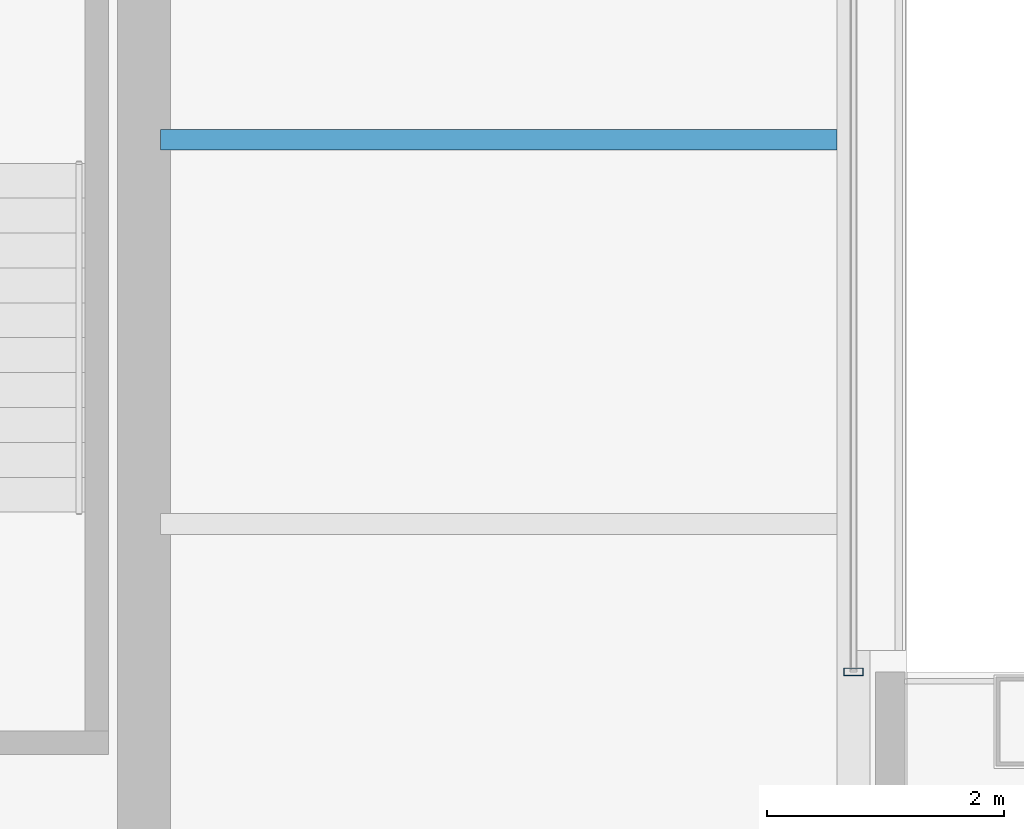
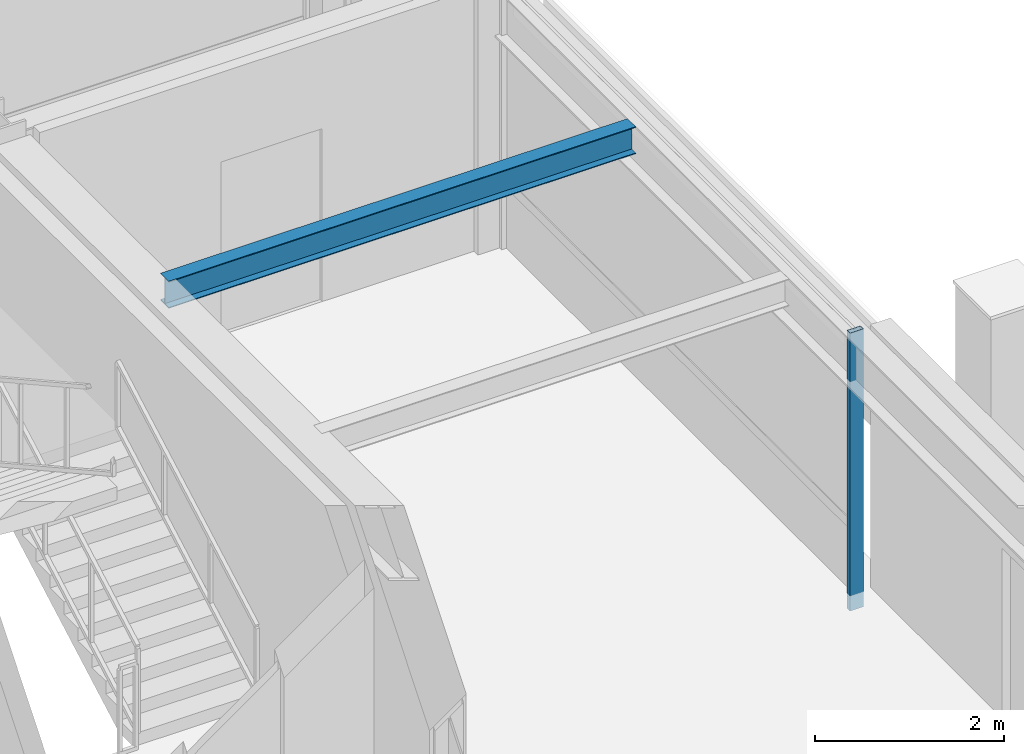
# One storey, part 16 of 28: 1 beam, 1 member, 1 element without a shape of its own.
"""IFC4 building model written with IfcOpenShell, lengths in metres."""

from ifc_helpers import new_model, si_unit, direction, frame, origin, origin_2d, place, context, subcontext, project, spatial, hollow_rectangle, i_section, extrude, material, layer, layer_set, material_profile, profile_set, type_object, element, aggregate, save


model = new_model("IFC4")

# Units and contexts
model_context = context("Model", 3, precision=1e-05, world=origin(), true_north=direction((0.0, 1.0)))
body_context = subcontext(model_context, "Body", "Model", "MODEL_VIEW")
ifc_project = project(units=[si_unit("LENGTHUNIT", "METRE"), si_unit("AREAUNIT", "SQUARE_METRE"), si_unit("VOLUMEUNIT", "CUBIC_METRE"), si_unit("PLANEANGLEUNIT", "RADIAN"), si_unit("MASSUNIT", "GRAM", prefix="KILO")], contexts=[model_context])

# Site, building, storey
site_placement = place(None, origin())
site = spatial("IfcSite", under=ifc_project, at=site_placement, CompositionType="ELEMENT")
building_placement = place(site_placement, origin())
building = spatial("IfcBuilding", under=site, at=building_placement, Name="Brelmoor Portico Tower", CompositionType="ELEMENT")
storey_placement = place(building_placement, frame((0.0, 0.0, 191.10009765625)))
storey = spatial("IfcBuildingStorey", under=building, at=storey_placement, Name="L50", CompositionType="ELEMENT", Elevation=191.10009765625)

# Beam
ifc_material_1 = material(Name="Steel Q355B", Category="steel")
ifc_material_profile_1 = material_profile(ifc_material_1, i_section(OverallWidth=0.175048828125, OverallDepth=0.35009765625, WebThickness=0.007080078125, FlangeThickness=0.010986328125, at=origin_2d()), Name="HN 350x175x7x11")
ifc_profile_set_1 = profile_set([ifc_material_profile_1], Name="Steel Q355B")
beam_type = type_object("IfcBeamType", Name="BM-JS-350", PredefinedType="JOIST", material=ifc_profile_set_1)
beam_placement = place(storey_placement, frame((14.68994140625, 6.5, 3.224853515625), z_axis=(1.0, 0.0, 0.0), x_axis=(0.0, 1.0, 0.0)))
element("IfcBeam", 1, at=beam_placement, inside=storey, type_object=beam_type, Name="L50 Secondary Wing Joist JS-E12", PredefinedType="JOIST", context=body_context, shape_type="SweptSolid", body=[
    extrude(i_section(OverallWidth=0.175048828125, OverallDepth=0.35009765625, WebThickness=0.007080078125, FlangeThickness=0.010986328125, at=origin_2d()), origin(), (0.0, 0.0, 1.0), 5.719970703125),
])

# Curtain wall, member
ifc_material_2 = material(Name="Anodised Aluminium Alloy 6063-T6", Category="aluminium")
ifc_layer = layer(ifc_material_2, 0.179931640625)
ifc_layer_set = layer_set([ifc_layer], Name="Anodised Aluminium Alloy 6063-T6")
curtain_wall_type = type_object("IfcCurtainWallType", Name="CW-TOWER-Z3", PredefinedType="NOTDEFINED", material=ifc_layer_set)
curtain_wall_placement = place(storey_placement, origin())
curtain_wall = element("IfcCurtainWall", 2, at=curtain_wall_placement, inside=storey, type_object=curtain_wall_type, Name="L50 Curtain Wall CW-L50-4R-1", PredefinedType="NOTDEFINED")
ifc_material_profile_2 = material_profile(ifc_material_2, hollow_rectangle(XDim=0.06494140625, YDim=0.1650390625, WallThickness=0.00390625, at=origin_2d()), Name="ALU MULLION 65x165")
ifc_profile_set_2 = profile_set([ifc_material_profile_2], Name="Anodised Aluminium Alloy 6063-T6")
member_type = type_object("IfcMemberType", Name="MB-CW-MULL-165", PredefinedType="MULLION", material=ifc_profile_set_2)
member_placement = place(storey_placement, frame((20.550048828125, 2.0, -0.2001953125), z_axis=(0.0, 0.0, 1.0), x_axis=(0.0, 1.0, 0.0)))
member = element("IfcMember", 3, at=member_placement, type_object=member_type, Name="CW-L50-4R-1 Mullion 00", PredefinedType="MULLION", context=body_context, shape_type="SweptSolid", body=[
    extrude(hollow_rectangle(XDim=0.06494140625, YDim=0.1650390625, WallThickness=0.00390625, at=origin_2d()), origin(), (0.0, 0.0, 1.0), 3.60009765625),
])
aggregate(curtain_wall, [member])

save(model, "model.ifc")
